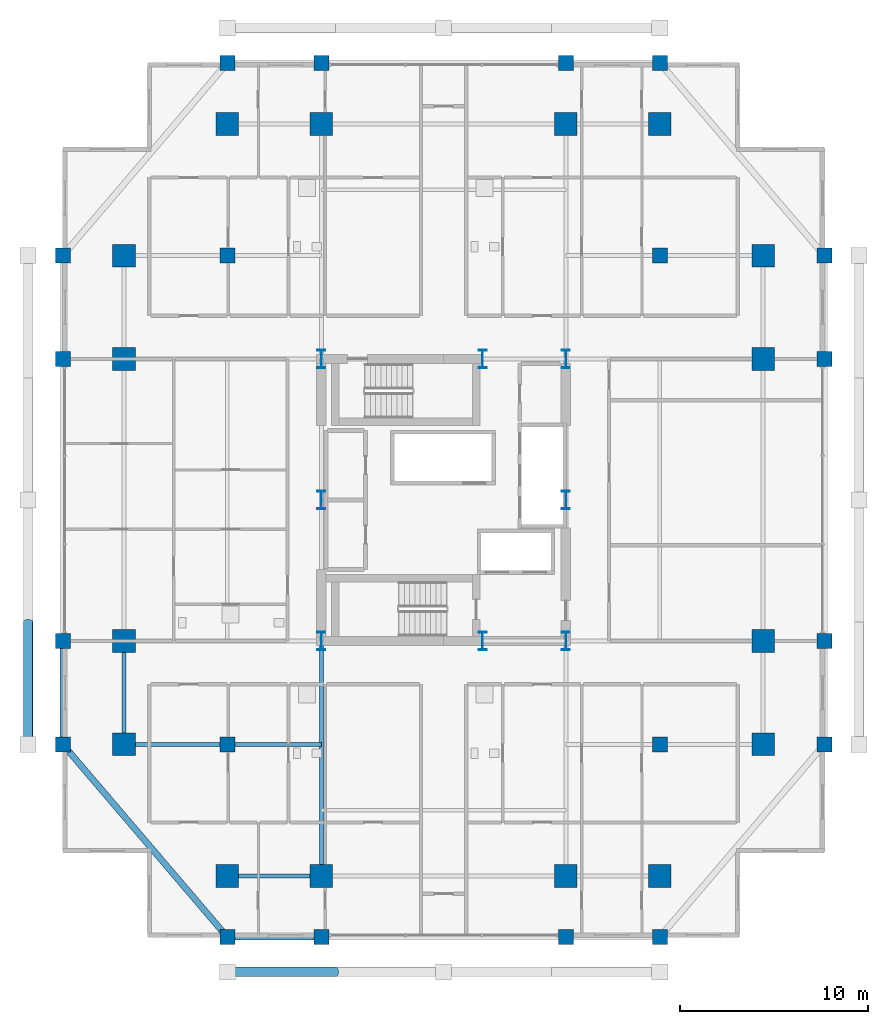
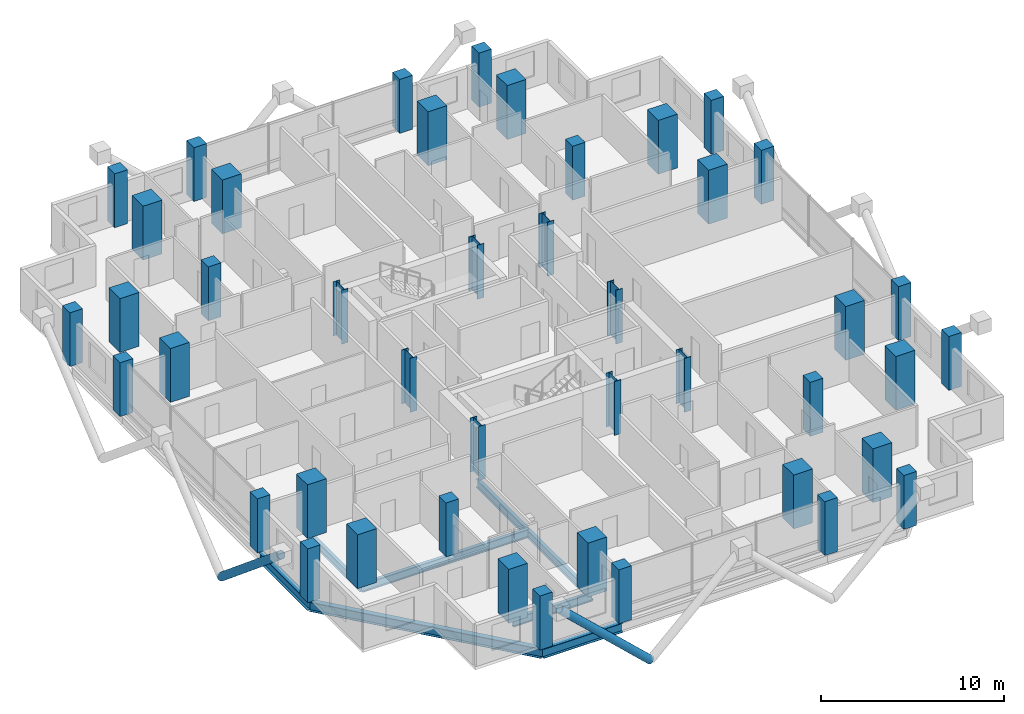
# One storey, part 1 of 23: 44 columns, 8 beams, 2 members.
"""IFC4 building model written with IfcOpenShell, lengths in metres."""

from ifc_helpers import new_model, si_unit, direction, frame, origin, origin_2d, place, context, subcontext, project, spatial, rectangle, hollow_circle, i_section, extrude, material, material_profile, profile_set, type_object, element, save


model = new_model("IFC4")

# Units and contexts
model_context = context("Model", 3, precision=1e-05, world=origin(), true_north=direction((0.0, 1.0)))
body_context = subcontext(model_context, "Body", "Model", "MODEL_VIEW")
ifc_project = project(units=[si_unit("LENGTHUNIT", "METRE"), si_unit("AREAUNIT", "SQUARE_METRE"), si_unit("VOLUMEUNIT", "CUBIC_METRE"), si_unit("PLANEANGLEUNIT", "RADIAN"), si_unit("MASSUNIT", "GRAM", prefix="KILO")], contexts=[model_context])

# Site, building, storey
site_placement = place(None, origin())
site = spatial("IfcSite", under=ifc_project, at=site_placement, CompositionType="ELEMENT")
building_placement = place(site_placement, origin())
building = spatial("IfcBuilding", under=site, at=building_placement, Name="Barlavira Tower and Art Museum", CompositionType="ELEMENT")
storey_placement = place(building_placement, frame((0.0, 0.0, 140.39990234375)))
storey = spatial("IfcBuildingStorey", under=building, at=storey_placement, Name="L35", CompositionType="ELEMENT", Elevation=140.39990234375)

# Columns
ifc_material_1 = material(Name="Steel S355", Category="steel")
ifc_material_profile_1 = material_profile(ifc_material_1, i_section(OverallWidth=0.419921875, OverallDepth=0.9599609375, WebThickness=0.02197265625, FlangeThickness=0.033935546875, at=origin_2d()), Name="W920x387.0")
ifc_profile_set_1 = profile_set([ifc_material_profile_1], Name="Steel S355")
column_type_1 = type_object("IfcColumnType", Name="Core Composite Column W920x387 Steel S355", PredefinedType="COLUMN", material=ifc_profile_set_1)
for number, where, z_axis, x_axis, name in (
    (1, (-6.5, -7.5, 0.0), (0.0, 0.0, 1.0), (1.0, 0.0, 0.0), "L35 Column CC-L35-C1"),
    (2, (2.080078125, -7.5, 0.0), (0.0, 0.0, 1.0), (1.0, 0.0, 0.0), "L35 Column CC-L35-C2"),
    (3, (6.5, -7.5, 0.0), (0.0, 0.0, 1.0), (1.0, 0.0, 0.0), "L35 Column CC-L35-C3"),
    (4, (-6.5, 0.0, 0.0), (0.0, 0.0, 1.0), (1.0, 0.0, 0.0), "L35 Column CC-L35-C4"),
    (5, (6.5, 0.0, 0.0), (0.0, 0.0, 1.0), (1.0, 0.0, 0.0), "L35 Column CC-L35-C5"),
    (6, (-6.5, 7.5, 0.0), (0.0, 0.0, 1.0), (1.0, 0.0, 0.0), "L35 Column CC-L35-C6"),
    (7, (2.080078125, 7.5, 0.0), (0.0, 0.0, 1.0), (1.0, 0.0, 0.0), "L35 Column CC-L35-C7"),
    (8, (6.5, 7.5, 0.0), (0.0, 0.0, 1.0), (1.0, 0.0, 0.0), "L35 Column CC-L35-C8"),
):
    element("IfcColumn", number, at=place(storey_placement, frame(where, z_axis=z_axis, x_axis=x_axis)), inside=storey, type_object=column_type_1, Name=name, PredefinedType="COLUMN", context=body_context, shape_type="SweptSolid", body=[
        extrude(i_section(OverallWidth=0.419921875, OverallDepth=0.9599609375, WebThickness=0.02197265625, FlangeThickness=0.033935546875, at=origin_2d()), origin(), (0.0, 0.0, 1.0), 3.60009765625),
    ])
ifc_material_2 = material(Name="Concrete C60", Category="concrete")
ifc_material_profile_2 = material_profile(ifc_material_2, rectangle(XDim=1.199951171875, YDim=1.199951171875, at=origin_2d()), Name="RC-COL 1200x1200")
ifc_profile_set_2 = profile_set([ifc_material_profile_2], Name="Concrete C60")
column_type_2 = type_object("IfcColumnType", Name="Perimeter Mega Column 1200x1200 Concrete C60", PredefinedType="USERDEFINED", material=ifc_profile_set_2)
for number, where, z_axis, x_axis, name in (
    (9, (-11.5, -20.0, 0.0), (0.0, 0.0, 1.0), (1.0, 0.0, 0.0), "L35 Column MC-L35-M01"),
    (10, (-6.5, -20.0, 0.0), (0.0, 0.0, 1.0), (1.0, 0.0, 0.0), "L35 Column MC-L35-M02"),
    (11, (6.5, -20.0, 0.0), (0.0, 0.0, 1.0), (1.0, 0.0, 0.0), "L35 Column MC-L35-M03"),
    (12, (11.5, -20.0, 0.0), (0.0, 0.0, 1.0), (1.0, 0.0, 0.0), "L35 Column MC-L35-M04"),
    (13, (17.0, -13.0, 0.0), (0.0, 0.0, 1.0), (1.0, 0.0, 0.0), "L35 Column MC-L35-M05"),
    (14, (17.0, -7.5, 0.0), (0.0, 0.0, 1.0), (1.0, 0.0, 0.0), "L35 Column MC-L35-M06"),
    (15, (17.0, 7.5, 0.0), (0.0, 0.0, 1.0), (1.0, 0.0, 0.0), "L35 Column MC-L35-M07"),
    (16, (17.0, 13.0, 0.0), (0.0, 0.0, 1.0), (1.0, 0.0, 0.0), "L35 Column MC-L35-M08"),
    (17, (11.5, 20.0, 0.0), (0.0, 0.0, 1.0), (1.0, 0.0, 0.0), "L35 Column MC-L35-M09"),
    (18, (6.5, 20.0, 0.0), (0.0, 0.0, 1.0), (1.0, 0.0, 0.0), "L35 Column MC-L35-M10"),
    (19, (-6.5, 20.0, 0.0), (0.0, 0.0, 1.0), (1.0, 0.0, 0.0), "L35 Column MC-L35-M11"),
    (20, (-11.5, 20.0, 0.0), (0.0, 0.0, 1.0), (1.0, 0.0, 0.0), "L35 Column MC-L35-M12"),
    (21, (-17.0, 13.0, 0.0), (0.0, 0.0, 1.0), (1.0, 0.0, 0.0), "L35 Column MC-L35-M13"),
    (22, (-17.0, 7.5, 0.0), (0.0, 0.0, 1.0), (1.0, 0.0, 0.0), "L35 Column MC-L35-M14"),
    (23, (-17.0, -7.5, 0.0), (0.0, 0.0, 1.0), (1.0, 0.0, 0.0), "L35 Column MC-L35-M15"),
    (24, (-17.0, -13.0, 0.0), (0.0, 0.0, 1.0), (1.0, 0.0, 0.0), "L35 Column MC-L35-M16"),
):
    element("IfcColumn", number, at=place(storey_placement, frame(where, z_axis=z_axis, x_axis=x_axis)), inside=storey, type_object=column_type_2, Name=name, ObjectType="MEGA COLUMN", PredefinedType="USERDEFINED", context=body_context, shape_type="SweptSolid", body=[
        extrude(rectangle(XDim=1.199951171875, YDim=1.199951171875, at=origin_2d()), origin(), (0.0, 0.0, 1.0), 3.60009765625),
    ])
ifc_material_3 = material(Name="Concrete C50", Category="concrete")
ifc_material_profile_3 = material_profile(ifc_material_3, rectangle(XDim=0.800048828125, YDim=0.800048828125, at=origin_2d()), Name="RC-COL 800x800")
ifc_profile_set_3 = profile_set([ifc_material_profile_3], Name="Concrete C50")
column_type_3 = type_object("IfcColumnType", Name="Podium Frame Column 800x800 Concrete C50", PredefinedType="COLUMN", material=ifc_profile_set_3)
for number, where, z_axis, x_axis, name in (
    (25, (-11.5, -13.0, 0.0), (0.0, 0.0, 1.0), (1.0, 0.0, 0.0), "L35 Column CI-L35-I1"),
    (26, (11.5, -13.0, 0.0), (0.0, 0.0, 1.0), (1.0, 0.0, 0.0), "L35 Column CI-L35-I2"),
    (27, (-11.5, 13.0, 0.0), (0.0, 0.0, 1.0), (1.0, 0.0, 0.0), "L35 Column CI-L35-I3"),
    (28, (11.5, 13.0, 0.0), (0.0, 0.0, 1.0), (1.0, 0.0, 0.0), "L35 Column CI-L35-I4"),
    (29, (-11.5, -23.25, 0.0), (0.0, 0.0, 1.0), (1.0, 0.0, 0.0), "L35 Column CZ2-L35-N01"),
    (30, (-6.5, -23.25, 0.0), (0.0, 0.0, 1.0), (1.0, 0.0, 0.0), "L35 Column CZ2-L35-N02"),
    (31, (6.5, -23.25, 0.0), (0.0, 0.0, 1.0), (1.0, 0.0, 0.0), "L35 Column CZ2-L35-N02B"),
    (32, (11.5, -23.25, 0.0), (0.0, 0.0, 1.0), (1.0, 0.0, 0.0), "L35 Column CZ2-L35-N03"),
    (33, (-20.25, -13.0, 0.0), (0.0, 0.0, 1.0), (1.0, 0.0, 0.0), "L35 Column CZ2-L35-N04"),
    (34, (-20.25, -7.5, 0.0), (0.0, 0.0, 1.0), (1.0, 0.0, 0.0), "L35 Column CZ2-L35-N05"),
    (35, (-20.25, 7.5, 0.0), (0.0, 0.0, 1.0), (1.0, 0.0, 0.0), "L35 Column CZ2-L35-N05B"),
    (36, (-20.25, 13.0, 0.0), (0.0, 0.0, 1.0), (1.0, 0.0, 0.0), "L35 Column CZ2-L35-N06"),
    (37, (-11.5, 23.25, 0.0), (0.0, 0.0, 1.0), (1.0, 0.0, 0.0), "L35 Column CZ2-L35-N07"),
    (38, (-6.5, 23.25, 0.0), (0.0, 0.0, 1.0), (1.0, 0.0, 0.0), "L35 Column CZ2-L35-N08"),
    (39, (6.5, 23.25, 0.0), (0.0, 0.0, 1.0), (1.0, 0.0, 0.0), "L35 Column CZ2-L35-N08B"),
    (40, (11.5, 23.25, 0.0), (0.0, 0.0, 1.0), (1.0, 0.0, 0.0), "L35 Column CZ2-L35-N09"),
    (41, (20.25, -13.0, 0.0), (0.0, 0.0, 1.0), (1.0, 0.0, 0.0), "L35 Column CZ2-L35-N10"),
    (42, (20.25, -7.5, 0.0), (0.0, 0.0, 1.0), (1.0, 0.0, 0.0), "L35 Column CZ2-L35-N11"),
    (43, (20.25, 7.5, 0.0), (0.0, 0.0, 1.0), (1.0, 0.0, 0.0), "L35 Column CZ2-L35-N11B"),
    (44, (20.25, 13.0, 0.0), (0.0, 0.0, 1.0), (1.0, 0.0, 0.0), "L35 Column CZ2-L35-N12"),
):
    element("IfcColumn", number, at=place(storey_placement, frame(where, z_axis=z_axis, x_axis=x_axis)), inside=storey, type_object=column_type_3, Name=name, PredefinedType="COLUMN", context=body_context, shape_type="SweptSolid", body=[
        extrude(rectangle(XDim=0.800048828125, YDim=0.800048828125, at=origin_2d()), origin(), (0.0, 0.0, 1.0), 3.60009765625),
    ])

# Members
ifc_material_profile_4 = material_profile(ifc_material_1, hollow_circle(Radius=0.25390625, WallThickness=0.022216796875, at=origin_2d()), Name="CHS 508.0x22.2")
ifc_profile_set_4 = profile_set([ifc_material_profile_4], Name="Steel S355")
member_type = type_object("IfcMemberType", Name="Pale-Metal Exoskeleton Diagrid Tube CHS 508x22 Steel S355", PredefinedType="BRACE", material=ifc_profile_set_4)
member_1_placement = place(storey_placement, frame((-5.75, -25.10009765625, -1.919921875), z_axis=(-0.728950095515, 0.0, 0.684566839869), x_axis=(0.0, -1.0, 0.0)))
element("IfcMember", 45, at=member_1_placement, inside=storey, type_object=member_type, Name="L35 Exoskeleton Diagrid Tube S", PredefinedType="BRACE", context=body_context, shape_type="SweptSolid", body=[
    extrude(hollow_circle(Radius=0.25390625, WallThickness=0.022216796875, at=origin_2d()), origin(), (0.0, 0.0, 1.0), 7.887939453125),
])
member_2_placement = place(storey_placement, frame((-22.10009765625, -6.5, -1.919921875), z_axis=(0.0, -0.769196053329, 0.639012857104), x_axis=(1.0, 0.0, 0.0)))
element("IfcMember", 46, at=member_2_placement, inside=storey, type_object=member_type, Name="L35 Exoskeleton Diagrid Tube W", PredefinedType="BRACE", context=body_context, shape_type="SweptSolid", body=[
    extrude(hollow_circle(Radius=0.25390625, WallThickness=0.022216796875, at=origin_2d()), origin(), (0.0, 0.0, 1.0), 8.450439453125),
])

# Beams
ifc_material_profile_5 = material_profile(ifc_material_1, i_section(OverallWidth=0.327880859375, OverallDepth=0.62890625, WebThickness=0.013916015625, FlangeThickness=0.021484375, at=origin_2d()), Name="W610x174.0")
ifc_profile_set_5 = profile_set([ifc_material_profile_5], Name="Steel S355")
beam_type_1 = type_object("IfcBeamType", Name="Perimeter Spandrel Edge Beam W610x174 Steel S355", PredefinedType="SPANDREL", material=ifc_profile_set_5)
beam_1_placement = place(storey_placement, frame((-11.5, -23.25, -0.534423828125), z_axis=(1.0, 0.0, 0.0), x_axis=(0.0, 1.0, 0.0)))
element("IfcBeam", 47, at=beam_1_placement, inside=storey, type_object=beam_type_1, Name="L35 Spandrel 1", PredefinedType="SPANDREL", context=body_context, shape_type="SweptSolid", body=[
    extrude(i_section(OverallWidth=0.327880859375, OverallDepth=0.62890625, WebThickness=0.013916015625, FlangeThickness=0.021484375, at=origin_2d()), origin(), (0.0, 0.0, 1.0), 5.0),
])
beam_2_placement = place(storey_placement, frame((-20.25, -13.0, -0.534423828125), z_axis=(0.0, 1.0, 0.0), x_axis=(-1.0, 0.0, 0.0)))
element("IfcBeam", 48, at=beam_2_placement, inside=storey, type_object=beam_type_1, Name="L35 Spandrel 15", PredefinedType="SPANDREL", context=body_context, shape_type="SweptSolid", body=[
    extrude(i_section(OverallWidth=0.327880859375, OverallDepth=0.62890625, WebThickness=0.013916015625, FlangeThickness=0.021484375, at=origin_2d()), origin(), (0.0, 0.0, 1.0), 5.5),
])
beam_3_placement = place(storey_placement, frame((-20.25, -13.0, -0.534423828125), z_axis=(0.649262379928, -0.760564502202, 0.0), x_axis=(0.760564502202, 0.649262379928, 0.0)))
element("IfcBeam", 49, at=beam_3_placement, inside=storey, type_object=beam_type_1, Name="L35 Spandrel 16", PredefinedType="SPANDREL", context=body_context, shape_type="SweptSolid", body=[
    extrude(i_section(OverallWidth=0.327880859375, OverallDepth=0.62890625, WebThickness=0.013916015625, FlangeThickness=0.021484375, at=origin_2d()), origin(), (0.0, 0.0, 1.0), 13.476806640625),
])
ifc_material_profile_6 = material_profile(ifc_material_1, i_section(OverallWidth=0.214111328125, OverallDepth=0.549072265625, WebThickness=0.0146484375, FlangeThickness=0.023681640625, at=origin_2d()), Name="W530x138.0")
ifc_profile_set_6 = profile_set([ifc_material_profile_6], Name="Steel S355")
beam_type_2 = type_object("IfcBeamType", Name="Zone 1 Primary Floor Girder W530x138 Steel S355", PredefinedType="BEAM", material=ifc_profile_set_6)
beam_4_placement = place(storey_placement, frame((-11.5, -20.0, -0.494384765625), z_axis=(1.0, 0.0, 0.0), x_axis=(0.0, 1.0, 0.0)))
element("IfcBeam", 50, at=beam_4_placement, inside=storey, type_object=beam_type_2, Name="L35 Girder M-S1", PredefinedType="BEAM", context=body_context, shape_type="SweptSolid", body=[
    extrude(i_section(OverallWidth=0.214111328125, OverallDepth=0.549072265625, WebThickness=0.0146484375, FlangeThickness=0.023681640625, at=origin_2d()), origin(), (0.0, 0.0, 1.0), 5.0),
])
beam_5_placement = place(storey_placement, frame((-17.0, -13.0, -0.494384765625), z_axis=(0.0, 1.0, 0.0), x_axis=(-1.0, 0.0, 0.0)))
element("IfcBeam", 51, at=beam_5_placement, inside=storey, type_object=beam_type_2, Name="L35 Girder M-W1", PredefinedType="BEAM", context=body_context, shape_type="SweptSolid", body=[
    extrude(i_section(OverallWidth=0.214111328125, OverallDepth=0.549072265625, WebThickness=0.0146484375, FlangeThickness=0.023681640625, at=origin_2d()), origin(), (0.0, 0.0, 1.0), 5.5),
])
beam_6_placement = place(storey_placement, frame((-6.5, -20.0, -0.494384765625), z_axis=(0.0, 1.0, 0.0), x_axis=(-1.0, 0.0, 0.0)))
element("IfcBeam", 52, at=beam_6_placement, inside=storey, type_object=beam_type_2, Name="L35 Girder R-S1", PredefinedType="BEAM", context=body_context, shape_type="SweptSolid", body=[
    extrude(i_section(OverallWidth=0.214111328125, OverallDepth=0.549072265625, WebThickness=0.0146484375, FlangeThickness=0.023681640625, at=origin_2d()), origin(), (0.0, 0.0, 1.0), 12.5),
])
beam_7_placement = place(storey_placement, frame((-17.0, -13.0, -0.494384765625), z_axis=(1.0, 0.0, 0.0), x_axis=(0.0, 1.0, 0.0)))
element("IfcBeam", 53, at=beam_7_placement, inside=storey, type_object=beam_type_2, Name="L35 Girder I-S1", PredefinedType="BEAM", context=body_context, shape_type="SweptSolid", body=[
    extrude(i_section(OverallWidth=0.214111328125, OverallDepth=0.549072265625, WebThickness=0.0146484375, FlangeThickness=0.023681640625, at=origin_2d()), origin(), (0.0, 0.0, 1.0), 5.5),
])
beam_8_placement = place(storey_placement, frame((-11.5, -13.0, -0.494384765625), z_axis=(1.0, 0.0, 0.0), x_axis=(0.0, 1.0, 0.0)))
element("IfcBeam", 54, at=beam_8_placement, inside=storey, type_object=beam_type_2, Name="L35 Girder I-S2", PredefinedType="BEAM", context=body_context, shape_type="SweptSolid", body=[
    extrude(i_section(OverallWidth=0.214111328125, OverallDepth=0.549072265625, WebThickness=0.0146484375, FlangeThickness=0.023681640625, at=origin_2d()), origin(), (0.0, 0.0, 1.0), 5.0),
])

save(model, "model.ifc")
